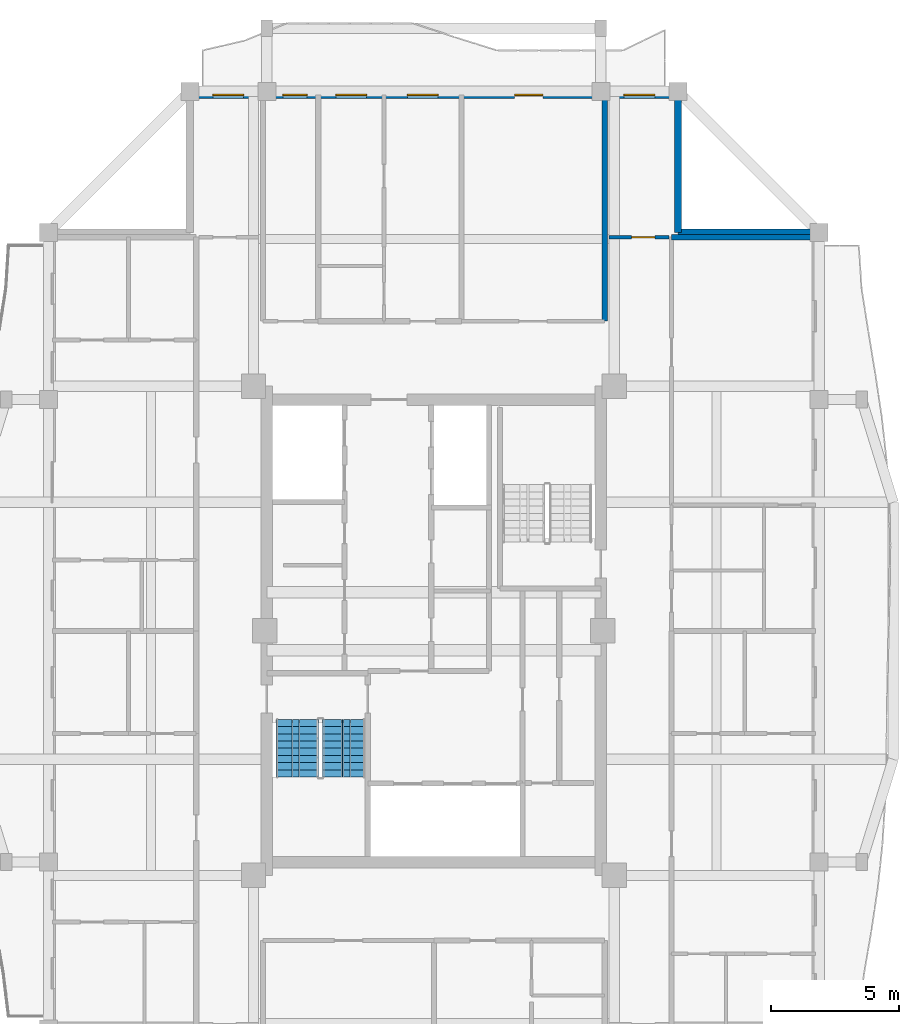
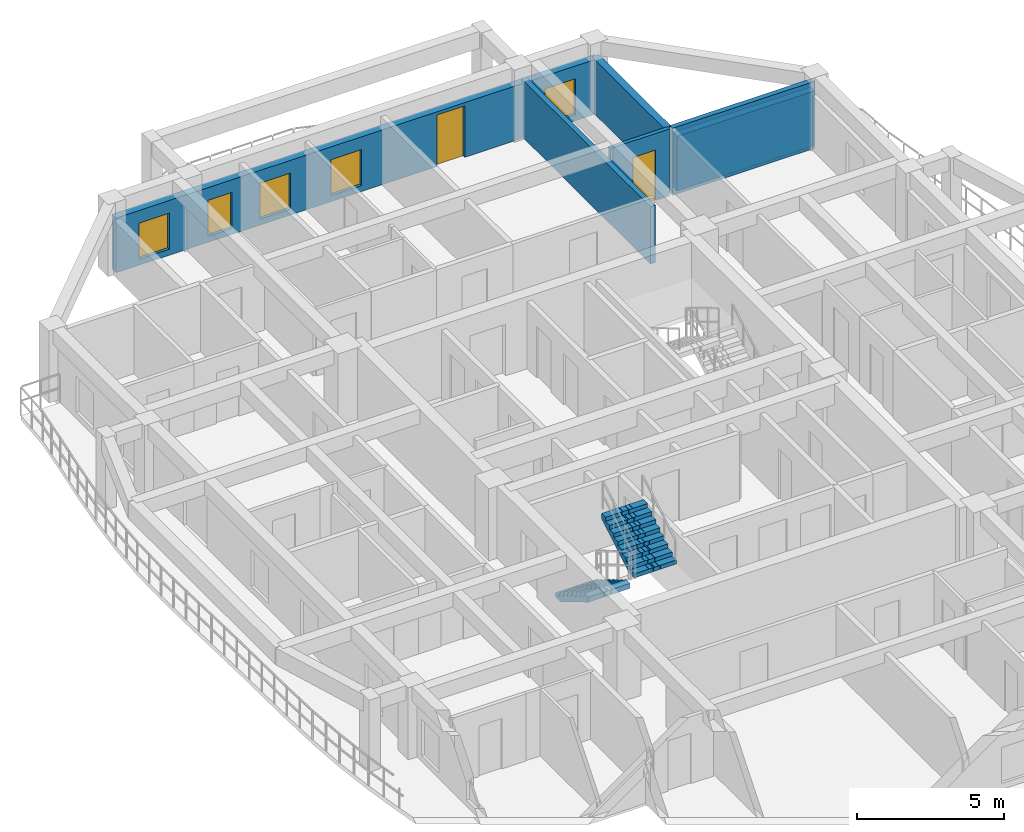
# One storey, part 6 of 12: 6 walls, 5 windows, 2 doors, 2 stair flights, 7 openings, 1 element without a shape of its own.
"""IFC4 building model written with IfcOpenShell, lengths in metres."""

from ifc_helpers import new_model, si_unit, direction, frame, frame_2d, origin, place, context, subcontext, project, spatial, polyline, rectangle, outline, extrude, source, transform, mapped, material, layer, layer_set, type_object, element, fill, aggregate, save


model = new_model("IFC4")

# Units and contexts
model_context = context("Model", 3, precision=1e-05, world=origin(), true_north=direction((0.0, 1.0)))
body_context = subcontext(model_context, "Body", "Model", "MODEL_VIEW")
ifc_project = project(units=[si_unit("LENGTHUNIT", "METRE"), si_unit("AREAUNIT", "SQUARE_METRE"), si_unit("VOLUMEUNIT", "CUBIC_METRE"), si_unit("PLANEANGLEUNIT", "RADIAN"), si_unit("MASSUNIT", "GRAM", prefix="KILO")], contexts=[model_context])

# Site, building, storey
site_placement = place(None, origin())
site = spatial("IfcSite", under=ifc_project, at=site_placement, CompositionType="ELEMENT")
building_placement = place(site_placement, origin())
building = spatial("IfcBuilding", under=site, at=building_placement, Name="Saelheon Loggia Tower", CompositionType="ELEMENT")
storey_placement = place(building_placement, frame((0.0, 0.0, 243.0)))
storey = spatial("IfcBuildingStorey", under=building, at=storey_placement, Name="L75", CompositionType="ELEMENT", Elevation=243.0)

# Wall, openings, windows, door
ifc_material_1 = material(Name="Architectural Precast Concrete C40/50", Category="concrete")
ifc_layer_1 = layer(ifc_material_1, 0.280029296875)
ifc_layer_set_1 = layer_set([ifc_layer_1], Name="Architectural Precast Concrete C40/50")
wall_type_1 = type_object("IfcWallType", Name="Wall_Ext_Loggia_280", PredefinedType="SOLIDWALL", material=ifc_layer_set_1)
wall_1_placement = place(storey_placement, frame((28.5, 47.860107421875, 0.0), z_axis=(0.0, 0.0, 1.0), x_axis=(1.0, 0.0, 0.0)))
wall_1 = element("IfcWall", 1, at=wall_1_placement, inside=storey, type_object=wall_type_1, Name="L75 North Loggia Inner Wall", PredefinedType="SOLIDWALL", context=body_context, shape_type="SweptSolid", body=[
    extrude(rectangle(XDim=19.0, YDim=0.280029296875, at=frame_2d((9.5, 0.0))), origin(), (0.0, 0.0, 1.0), 2.280029296875),
])
opening_1_placement = place(wall_1_placement, frame((0.89990234375, 0.0, 0.25)))
opening_1 = element("IfcOpeningElement", 2, at=opening_1_placement, cuts=wall_1, Name="Opening WN-03", PredefinedType="OPENING", context=body_context, shape_type="SweptSolid", body=[
    extrude(rectangle(XDim=1.199951171875, YDim=1.5, at=frame_2d((0.60009765625, 0.75))), frame((0.0, 0.152099609375, 0.0), z_axis=(0.0, -1.0, 0.0), x_axis=(1.0, 0.0, 0.0)), (0.0, 0.0, 1.0), 0.303955078125),
])
opening_2_placement = place(wall_1_placement, frame((3.6201171875, 0.0, 0.25)))
opening_2 = element("IfcOpeningElement", 3, at=opening_2_placement, cuts=wall_1, Name="Opening WN-04", PredefinedType="OPENING", context=body_context, shape_type="SweptSolid", body=[
    extrude(rectangle(XDim=0.949951171875, YDim=1.5, at=frame_2d((0.47509765625, 0.75))), frame((0.0, 0.152099609375, 0.0), z_axis=(0.0, -1.0, 0.0), x_axis=(1.0, 0.0, 0.0)), (0.0, 0.0, 1.0), 0.303955078125),
])
opening_3_placement = place(wall_1_placement, frame((5.682373046875, 0.0, 0.25)))
opening_3 = element("IfcOpeningElement", 4, at=opening_3_placement, cuts=wall_1, Name="Opening WN-03", PredefinedType="OPENING", context=body_context, shape_type="SweptSolid", body=[
    extrude(rectangle(XDim=1.199951171875, YDim=1.5, at=frame_2d((0.60009765625, 0.75))), frame((0.0, 0.152099609375, 0.0), z_axis=(0.0, -1.0, 0.0), x_axis=(1.0, 0.0, 0.0)), (0.0, 0.0, 1.0), 0.303955078125),
])
opening_4_placement = place(wall_1_placement, frame((8.4697265625, 0.0, 0.25)))
opening_4 = element("IfcOpeningElement", 5, at=opening_4_placement, cuts=wall_1, Name="Opening WN-03", PredefinedType="OPENING", context=body_context, shape_type="SweptSolid", body=[
    extrude(rectangle(XDim=1.199951171875, YDim=1.5, at=frame_2d((0.60009765625, 0.75))), frame((0.0, 0.152099609375, 0.0), z_axis=(0.0, -1.0, 0.0), x_axis=(1.0, 0.0, 0.0)), (0.0, 0.0, 1.0), 0.303955078125),
])
opening_5_placement = place(wall_1_placement, frame((12.642578125, 0.0, 0.0)))
opening_5 = element("IfcOpeningElement", 6, at=opening_5_placement, cuts=wall_1, Name="Opening TD1", PredefinedType="OPENING", context=body_context, shape_type="SweptSolid", body=[
    extrude(rectangle(XDim=1.10009765625, YDim=2.14990234375, at=frame_2d((0.550048828125, 1.074951171875))), frame((0.0, 0.152099609375, 0.0), z_axis=(0.0, -1.0, 0.0), x_axis=(1.0, 0.0, 0.0)), (0.0, 0.0, 1.0), 0.303955078125),
])
opening_6_placement = place(wall_1_placement, frame((16.89990234375, 0.0, 0.25)))
opening_6 = element("IfcOpeningElement", 7, at=opening_6_placement, cuts=wall_1, Name="Opening WN-03", PredefinedType="OPENING", context=body_context, shape_type="SweptSolid", body=[
    extrude(rectangle(XDim=1.199951171875, YDim=1.5, at=frame_2d((0.60009765625, 0.75))), frame((0.0, 0.152099609375, 0.0), z_axis=(0.0, -1.0, 0.0), x_axis=(1.0, 0.0, 0.0)), (0.0, 0.0, 1.0), 0.303955078125),
])
ifc_material_2 = material(Name="Thermal-Break Aluminium and Triple Low-E Glass", Category="aluminium")
window_type_1 = type_object("IfcWindowType", Name="Win_Bedroom_1200x1500", PartitioningType="SINGLE_PANEL", PredefinedType="WINDOW", material=ifc_material_2)
shared_shape_1 = source(origin(), body_context, "Body", "SweptSolid", [
    extrude(rectangle(XDim=1.199951171875, YDim=1.5, at=frame_2d((0.60009765625, 0.75))), frame((0.0, 0.030029296875, 0.0), z_axis=(0.0, -1.0, 0.0), x_axis=(1.0, 0.0, 0.0)), (0.0, 0.0, 1.0), 0.06005859375),
])
window_1_placement = place(opening_1_placement, origin())
window_1 = element("IfcWindow", 8, at=window_1_placement, inside=storey, type_object=window_type_1, Name="L75 N Dwelling Window 1", OverallHeight=1.5, OverallWidth=1.199951171875, PartitioningType="SINGLE_PANEL", PredefinedType="WINDOW", context=body_context, shape_type="MappedRepresentation", body=[
    mapped(shared_shape_1, transform((0.0, 0.0, 0.0), scale=1.0)),
])
fill(opening_1, window_1)
window_2_placement = place(opening_3_placement, origin())
window_2 = element("IfcWindow", 9, at=window_2_placement, inside=storey, type_object=window_type_1, Name="L75 N Dwelling Window 3", OverallHeight=1.5, OverallWidth=1.199951171875, PartitioningType="SINGLE_PANEL", PredefinedType="WINDOW", context=body_context, shape_type="MappedRepresentation", body=[
    mapped(shared_shape_1, transform((0.0, 0.0, 0.0), scale=1.0)),
])
fill(opening_3, window_2)
window_3_placement = place(opening_4_placement, origin())
window_3 = element("IfcWindow", 10, at=window_3_placement, inside=storey, type_object=window_type_1, Name="L75 N Dwelling Window 4", OverallHeight=1.5, OverallWidth=1.199951171875, PartitioningType="SINGLE_PANEL", PredefinedType="WINDOW", context=body_context, shape_type="MappedRepresentation", body=[
    mapped(shared_shape_1, transform((0.0, 0.0, 0.0), scale=1.0)),
])
fill(opening_4, window_3)
window_4_placement = place(opening_6_placement, origin())
window_4 = element("IfcWindow", 11, at=window_4_placement, inside=storey, type_object=window_type_1, Name="L75 N Dwelling Window 6", OverallHeight=1.5, OverallWidth=1.199951171875, PartitioningType="SINGLE_PANEL", PredefinedType="WINDOW", context=body_context, shape_type="MappedRepresentation", body=[
    mapped(shared_shape_1, transform((0.0, 0.0, 0.0), scale=1.0)),
])
fill(opening_6, window_4)
ifc_material_3 = material(Name="Thermal-Break Aluminium Glazed Door", Category="aluminium")
door_type_1 = type_object("IfcDoorType", Name="Door_Terrace_TD1", OperationType="NOTDEFINED", PredefinedType="DOOR", material=ifc_material_3)
shared_shape_2 = source(origin(), body_context, "Body", "SweptSolid", [
    extrude(rectangle(XDim=1.10009765625, YDim=2.14990234375, at=frame_2d((0.550048828125, 1.074951171875))), frame((0.0, 0.02490234375, 0.0), z_axis=(0.0, -1.0, 0.0), x_axis=(1.0, 0.0, 0.0)), (0.0, 0.0, 1.0), 0.050048828125),
])
door_1_placement = place(opening_5_placement, origin())
door_1 = element("IfcDoor", 12, at=door_1_placement, inside=storey, type_object=door_type_1, Name="L75 N Loggia Access Door", OperationType="SINGLE_SWING_LEFT", OverallHeight=2.14990234375, OverallWidth=1.10009765625, PredefinedType="DOOR", context=body_context, shape_type="MappedRepresentation", body=[
    mapped(shared_shape_2, transform((0.0, 0.0, 0.0), scale=1.0)),
])
fill(opening_5, door_1)
window_type_2 = type_object("IfcWindowType", Name="Win_Narrow_950x1500", PartitioningType="SINGLE_PANEL", PredefinedType="WINDOW", material=ifc_material_2)
shared_shape_3 = source(origin(), body_context, "Body", "SweptSolid", [
    extrude(rectangle(XDim=0.949951171875, YDim=1.5, at=frame_2d((0.47509765625, 0.75))), frame((0.0, 0.030029296875, 0.0), z_axis=(0.0, -1.0, 0.0), x_axis=(1.0, 0.0, 0.0)), (0.0, 0.0, 1.0), 0.06005859375),
])
window_5_placement = place(opening_2_placement, origin())
window_5 = element("IfcWindow", 13, at=window_5_placement, inside=storey, type_object=window_type_2, Name="L75 N Dwelling Window 2", OverallHeight=1.5, OverallWidth=0.949951171875, PartitioningType="SINGLE_PANEL", PredefinedType="WINDOW", context=body_context, shape_type="MappedRepresentation", body=[
    mapped(shared_shape_3, transform((0.0, 0.0, 0.0), scale=1.0)),
])
fill(opening_2, window_5)

# Walls
for number, where, z_axis, x_axis, name in (
    (14, (47.5, 42.5, 0.0), (0.0, 0.0, 1.0), (0.0, 1.0, 0.0), "L75 Corner Notch Precast Wall NE1"),
    (15, (47.5, 42.5, 0.0), (0.0, 0.0, 1.0), (1.0, 0.0, 0.0), "L75 Corner Notch Precast Wall NE2"),
):
    element("IfcWall", number, at=place(storey_placement, frame(where, z_axis=z_axis, x_axis=x_axis)), inside=storey, type_object=wall_type_1, Name=name, PredefinedType="SOLIDWALL", context=body_context, shape_type="SweptSolid", body=[
        extrude(rectangle(XDim=5.419921875, YDim=0.280029296875, at=frame_2d((2.7099609375, 0.0))), origin(), (0.0, 0.0, 1.0), 2.280029296875),
    ])

# Wall, opening, door
ifc_material_4 = material(Name="Lightweight Autoclaved Aerated Concrete Block and Acoustic Gypsum", Category="concrete")
ifc_layer_2 = layer(ifc_material_4, 0.14990234375)
ifc_layer_set_2 = layer_set([ifc_layer_2], Name="Lightweight Autoclaved Aerated Concrete Block and Acoustic Gypsum")
wall_type_2 = type_object("IfcWallType", Name="Wall_Part_150", PredefinedType="PARTITIONING", material=ifc_layer_set_2)
wall_2_placement = place(storey_placement, frame((44.820068359375, 42.320068359375, 0.0), z_axis=(0.0, 0.0, 1.0), x_axis=(1.0, 0.0, 0.0)))
wall_2 = element("IfcWall", 16, at=wall_2_placement, inside=storey, type_object=wall_type_2, Name="PW-L75-CNE-H", PredefinedType="PARTITIONING", context=body_context, shape_type="SweptSolid", body=[
    extrude(rectangle(XDim=2.329833984375, YDim=0.14990234375, at=frame_2d((1.1650390625, 0.0))), origin(), (0.0, 0.0, 1.0), 2.7900390625),
])
opening_7_placement = place(wall_2_placement, frame((0.8798828125, 0.0, 0.0)))
opening_7 = element("IfcOpeningElement", 17, at=opening_7_placement, cuts=wall_2, Name="Opening D-IN2", PredefinedType="OPENING", context=body_context, shape_type="SweptSolid", body=[
    extrude(rectangle(XDim=0.89990234375, YDim=2.10009765625, at=frame_2d((0.449951171875, 1.050048828125))), frame((0.0, 0.0869140625, 0.0), z_axis=(0.0, -1.0, 0.0), x_axis=(1.0, 0.0, 0.0)), (0.0, 0.0, 1.0), 0.173828125),
])
ifc_material_5 = material(Name="Engineered Oak Flush Door", Category="timber")
door_type_2 = type_object("IfcDoorType", Name="Door_Int_900", OperationType="NOTDEFINED", PredefinedType="DOOR", material=ifc_material_5)
shared_shape_4 = source(origin(), body_context, "Body", "SweptSolid", [
    extrude(rectangle(XDim=0.89990234375, YDim=2.10009765625, at=frame_2d((0.449951171875, 1.050048828125))), frame((0.0, 0.02490234375, 0.0), z_axis=(0.0, -1.0, 0.0), x_axis=(1.0, 0.0, 0.0)), (0.0, 0.0, 1.0), 0.050048828125),
])
door_2_placement = place(opening_7_placement, origin())
door_2 = element("IfcDoor", 18, at=door_2_placement, inside=storey, type_object=door_type_2, Name="L75 Corner Reading Room NE Door", OperationType="SINGLE_SWING_RIGHT", OverallHeight=2.10009765625, OverallWidth=0.89990234375, PredefinedType="DOOR", context=body_context, shape_type="MappedRepresentation", body=[
    mapped(shared_shape_4, transform((0.0, 0.0, 0.0), scale=1.0)),
])
fill(opening_7, door_2)

# Walls
ifc_material_6 = material(Name="Double Acoustic Stud and Fireboard Partition", Category="gypsum")
ifc_layer_3 = layer(ifc_material_6, 0.199951171875)
ifc_layer_set_3 = layer_set([ifc_layer_3], Name="Double Acoustic Stud and Fireboard Partition")
wall_type_3 = type_object("IfcWallType", Name="Wall_Party_200", PredefinedType="PARTITIONING", material=ifc_layer_set_3)
wall_3_placement = place(storey_placement, frame((44.64990234375, 39.050048828125, 0.0), z_axis=(0.0, 0.0, 1.0), x_axis=(0.0, 1.0, 0.0)))
element("IfcWall", 19, at=wall_3_placement, inside=storey, type_object=wall_type_3, Name="L75 N Partition U02", PredefinedType="PARTITIONING", context=body_context, shape_type="SweptSolid", body=[
    extrude(rectangle(XDim=8.800048828125, YDim=0.199951171875, at=frame_2d((4.39990234375, 0.0))), origin(), (0.0, 0.0, 1.0), 2.389892578125),
])
wall_4_placement = place(storey_placement, frame((47.25, 42.320068359375, 0.0), z_axis=(0.0, 0.0, 1.0), x_axis=(1.0, 0.0, 0.0)))
element("IfcWall", 20, at=wall_4_placement, inside=storey, type_object=wall_type_3, Name="L75 E Partition U02", PredefinedType="PARTITIONING", context=body_context, shape_type="SweptSolid", body=[
    extrude(rectangle(XDim=5.60009765625, YDim=0.199951171875, at=frame_2d((2.800048828125, 0.0))), origin(), (0.0, 0.0, 1.0), 2.7900390625),
])

# Stair, stair flights
ifc_material_7 = material(Name="Concrete C40/50", Category="concrete")
stair_type = type_object("IfcStairType", Name="Stair_Escape_Core", PredefinedType="HALF_TURN_STAIR", material=ifc_material_7)
stair_placement = place(storey_placement, origin())
stair = element("IfcStair", 21, at=stair_placement, inside=storey, type_object=stair_type, Name="L75 Special Escape Stair ST1", PredefinedType="HALF_TURN_STAIR")
stair_flight_type = type_object("IfcStairFlightType", Name="StairFlight_Tower_1660", PredefinedType="STRAIGHT", material=ifc_material_7)
stair_flight_1_placement = place(storey_placement, frame((32.679931640625, 23.550048828125, 0.0), z_axis=(0.0, 0.0, 1.0), x_axis=(0.0, -1.0, 0.0)))
stair_flight_1 = element("IfcStairFlight", 22, at=stair_flight_1_placement, type_object=stair_flight_type, Name="ST1 flight 1", NumberOfRisers=9, NumberOfTreads=8, PredefinedType="STRAIGHT", RiserHeight=0.166666667, TreadLength=0.28, context=body_context, shape_type="SweptSolid", body=[
    extrude(outline(polyline([(0.0, 0.0), (0.0, 0.166748046875), (0.280029296875, 0.166748046875), (0.280029296875, 0.333251953125), (0.56005859375, 0.333251953125), (0.56005859375, 0.5), (0.840087890625, 0.5), (0.840087890625, 0.666748046875), (1.1201171875, 0.666748046875), (1.1201171875, 0.833251953125), (1.39990234375, 0.833251953125), (1.39990234375, 1.0), (1.679931640625, 1.0), (1.679931640625, 1.166748046875), (1.9599609375, 1.166748046875), (1.9599609375, 1.333251953125), (2.239990234375, 1.333251953125), (2.239990234375, 1.5), (2.239990234375, 1.1240234375), (0.351806640625, 0.0), (0.0, 0.0)])), frame((0.0, -0.2490234375, 0.0), z_axis=(0.0, -1.0, 0.0), x_axis=(1.0, 0.0, 0.0)), (0.0, 0.0, 1.0), 0.5810546875),
    extrude(outline(polyline([(0.0, 0.0), (0.0, 0.166748046875), (0.280029296875, 0.166748046875), (0.280029296875, 0.333251953125), (0.56005859375, 0.333251953125), (0.56005859375, 0.5), (0.840087890625, 0.5), (0.840087890625, 0.666748046875), (1.1201171875, 0.666748046875), (1.1201171875, 0.833251953125), (1.39990234375, 0.833251953125), (1.39990234375, 1.0), (1.679931640625, 1.0), (1.679931640625, 1.166748046875), (1.9599609375, 1.166748046875), (1.9599609375, 1.333251953125), (2.239990234375, 1.333251953125), (2.239990234375, 1.5), (2.239990234375, 1.1240234375), (0.351806640625, 0.0), (0.0, 0.0)])), frame((0.0, -0.194091796875, 0.0), z_axis=(0.0, -1.0, 0.0), x_axis=(1.0, 0.0, 0.0)), (0.0, 0.0, 1.0), 0.0498046875),
    extrude(outline(polyline([(0.0, 0.0), (0.0, 0.166748046875), (0.280029296875, 0.166748046875), (0.280029296875, 0.333251953125), (0.56005859375, 0.333251953125), (0.56005859375, 0.5), (0.840087890625, 0.5), (0.840087890625, 0.666748046875), (1.1201171875, 0.666748046875), (1.1201171875, 0.833251953125), (1.39990234375, 0.833251953125), (1.39990234375, 1.0), (1.679931640625, 1.0), (1.679931640625, 1.166748046875), (1.9599609375, 1.166748046875), (1.9599609375, 1.333251953125), (2.239990234375, 1.333251953125), (2.239990234375, 1.5), (2.239990234375, 1.1240234375), (0.351806640625, 0.0), (0.0, 0.0)])), frame((0.0, -0.139404296875, 0.0), z_axis=(0.0, -1.0, 0.0), x_axis=(1.0, 0.0, 0.0)), (0.0, 0.0, 1.0), 0.0498046875),
    extrude(outline(polyline([(0.0, 0.0), (0.0, 0.166748046875), (0.280029296875, 0.166748046875), (0.280029296875, 0.333251953125), (0.56005859375, 0.333251953125), (0.56005859375, 0.5), (0.840087890625, 0.5), (0.840087890625, 0.666748046875), (1.1201171875, 0.666748046875), (1.1201171875, 0.833251953125), (1.39990234375, 0.833251953125), (1.39990234375, 1.0), (1.679931640625, 1.0), (1.679931640625, 1.166748046875), (1.9599609375, 1.166748046875), (1.9599609375, 1.333251953125), (2.239990234375, 1.333251953125), (2.239990234375, 1.5), (2.239990234375, 1.1240234375), (0.351806640625, 0.0), (0.0, 0.0)])), frame((0.0, -0.084716796875, 0.0), z_axis=(0.0, -1.0, 0.0), x_axis=(1.0, 0.0, 0.0)), (0.0, 0.0, 1.0), 0.0498046875),
    extrude(outline(polyline([(0.0, 0.0), (0.0, 0.166748046875), (0.280029296875, 0.166748046875), (0.280029296875, 0.333251953125), (0.56005859375, 0.333251953125), (0.56005859375, 0.5), (0.840087890625, 0.5), (0.840087890625, 0.666748046875), (1.1201171875, 0.666748046875), (1.1201171875, 0.833251953125), (1.39990234375, 0.833251953125), (1.39990234375, 1.0), (1.679931640625, 1.0), (1.679931640625, 1.166748046875), (1.9599609375, 1.166748046875), (1.9599609375, 1.333251953125), (2.239990234375, 1.333251953125), (2.239990234375, 1.5), (2.239990234375, 1.1240234375), (0.351806640625, 0.0), (0.0, 0.0)])), frame((0.0, -0.02978515625, 0.0), z_axis=(0.0, -1.0, 0.0), x_axis=(1.0, 0.0, 0.0)), (0.0, 0.0, 1.0), 0.0498046875),
    extrude(outline(polyline([(0.0, 0.0), (0.0, 0.166748046875), (0.280029296875, 0.166748046875), (0.280029296875, 0.333251953125), (0.56005859375, 0.333251953125), (0.56005859375, 0.5), (0.840087890625, 0.5), (0.840087890625, 0.666748046875), (1.1201171875, 0.666748046875), (1.1201171875, 0.833251953125), (1.39990234375, 0.833251953125), (1.39990234375, 1.0), (1.679931640625, 1.0), (1.679931640625, 1.166748046875), (1.9599609375, 1.166748046875), (1.9599609375, 1.333251953125), (2.239990234375, 1.333251953125), (2.239990234375, 1.5), (2.239990234375, 1.1240234375), (0.351806640625, 0.0), (0.0, 0.0)])), frame((0.0, 0.02490234375, 0.0), z_axis=(0.0, -1.0, 0.0), x_axis=(1.0, 0.0, 0.0)), (0.0, 0.0, 1.0), 0.0498046875),
    extrude(outline(polyline([(0.0, 0.0), (0.0, 0.166748046875), (0.280029296875, 0.166748046875), (0.280029296875, 0.333251953125), (0.56005859375, 0.333251953125), (0.56005859375, 0.5), (0.840087890625, 0.5), (0.840087890625, 0.666748046875), (1.1201171875, 0.666748046875), (1.1201171875, 0.833251953125), (1.39990234375, 0.833251953125), (1.39990234375, 1.0), (1.679931640625, 1.0), (1.679931640625, 1.166748046875), (1.9599609375, 1.166748046875), (1.9599609375, 1.333251953125), (2.239990234375, 1.333251953125), (2.239990234375, 1.5), (2.239990234375, 1.1240234375), (0.351806640625, 0.0), (0.0, 0.0)])), frame((0.0, 0.07958984375, 0.0), z_axis=(0.0, -1.0, 0.0), x_axis=(1.0, 0.0, 0.0)), (0.0, 0.0, 1.0), 0.0498046875),
    extrude(outline(polyline([(0.0, 0.0), (0.0, 0.166748046875), (0.280029296875, 0.166748046875), (0.280029296875, 0.333251953125), (0.56005859375, 0.333251953125), (0.56005859375, 0.5), (0.840087890625, 0.5), (0.840087890625, 0.666748046875), (1.1201171875, 0.666748046875), (1.1201171875, 0.833251953125), (1.39990234375, 0.833251953125), (1.39990234375, 1.0), (1.679931640625, 1.0), (1.679931640625, 1.166748046875), (1.9599609375, 1.166748046875), (1.9599609375, 1.333251953125), (2.239990234375, 1.333251953125), (2.239990234375, 1.5), (2.239990234375, 1.1240234375), (0.351806640625, 0.0), (0.0, 0.0)])), frame((0.0, 0.134521484375, 0.0), z_axis=(0.0, -1.0, 0.0), x_axis=(1.0, 0.0, 0.0)), (0.0, 0.0, 1.0), 0.0498046875),
    extrude(outline(polyline([(0.0, 0.0), (0.0, 0.166748046875), (0.280029296875, 0.166748046875), (0.280029296875, 0.333251953125), (0.56005859375, 0.333251953125), (0.56005859375, 0.5), (0.840087890625, 0.5), (0.840087890625, 0.666748046875), (1.1201171875, 0.666748046875), (1.1201171875, 0.833251953125), (1.39990234375, 0.833251953125), (1.39990234375, 1.0), (1.679931640625, 1.0), (1.679931640625, 1.166748046875), (1.9599609375, 1.166748046875), (1.9599609375, 1.333251953125), (2.239990234375, 1.333251953125), (2.239990234375, 1.5), (2.239990234375, 1.1240234375), (0.351806640625, 0.0), (0.0, 0.0)])), frame((0.0, 0.189208984375, 0.0), z_axis=(0.0, -1.0, 0.0), x_axis=(1.0, 0.0, 0.0)), (0.0, 0.0, 1.0), 0.0498046875),
    extrude(outline(polyline([(0.0, 0.0), (0.0, 0.166748046875), (0.280029296875, 0.166748046875), (0.280029296875, 0.333251953125), (0.56005859375, 0.333251953125), (0.56005859375, 0.5), (0.840087890625, 0.5), (0.840087890625, 0.666748046875), (1.1201171875, 0.666748046875), (1.1201171875, 0.833251953125), (1.39990234375, 0.833251953125), (1.39990234375, 1.0), (1.679931640625, 1.0), (1.679931640625, 1.166748046875), (1.9599609375, 1.166748046875), (1.9599609375, 1.333251953125), (2.239990234375, 1.333251953125), (2.239990234375, 1.5), (2.239990234375, 1.1240234375), (0.351806640625, 0.0), (0.0, 0.0)])), frame((0.0, 0.243896484375, 0.0), z_axis=(0.0, -1.0, 0.0), x_axis=(1.0, 0.0, 0.0)), (0.0, 0.0, 1.0), 0.0498046875),
    extrude(outline(polyline([(0.0, 0.0), (0.0, 0.166748046875), (0.280029296875, 0.166748046875), (0.280029296875, 0.333251953125), (0.56005859375, 0.333251953125), (0.56005859375, 0.5), (0.840087890625, 0.5), (0.840087890625, 0.666748046875), (1.1201171875, 0.666748046875), (1.1201171875, 0.833251953125), (1.39990234375, 0.833251953125), (1.39990234375, 1.0), (1.679931640625, 1.0), (1.679931640625, 1.166748046875), (1.9599609375, 1.166748046875), (1.9599609375, 1.333251953125), (2.239990234375, 1.333251953125), (2.239990234375, 1.5), (2.239990234375, 1.1240234375), (0.351806640625, 0.0), (0.0, 0.0)])), frame((0.0, 0.830078125, 0.0), z_axis=(0.0, -1.0, 0.0), x_axis=(1.0, 0.0, 0.0)), (0.0, 0.0, 1.0), 0.5810546875),
])
stair_flight_2_placement = place(storey_placement, frame((34.5, 21.31005859375, 1.5), z_axis=(0.0, 0.0, 1.0), x_axis=(0.0, 1.0, 0.0)))
stair_flight_2 = element("IfcStairFlight", 23, at=stair_flight_2_placement, type_object=stair_flight_type, Name="ST1 flight 2", NumberOfRisers=9, NumberOfTreads=8, PredefinedType="STRAIGHT", RiserHeight=0.166666667, TreadLength=0.28, context=body_context, shape_type="SweptSolid", body=[
    extrude(outline(polyline([(0.0, 0.0), (0.0, 0.166748046875), (0.280029296875, 0.166748046875), (0.280029296875, 0.333251953125), (0.56005859375, 0.333251953125), (0.56005859375, 0.5), (0.840087890625, 0.5), (0.840087890625, 0.666748046875), (1.1201171875, 0.666748046875), (1.1201171875, 0.833251953125), (1.39990234375, 0.833251953125), (1.39990234375, 1.0), (1.679931640625, 1.0), (1.679931640625, 1.166748046875), (1.9599609375, 1.166748046875), (1.9599609375, 1.333251953125), (2.239990234375, 1.333251953125), (2.239990234375, 1.5), (2.239990234375, 1.1240234375), (0.351806640625, 0.0), (0.0, 0.0)])), frame((0.0, -0.2490234375, 0.0), z_axis=(0.0, -1.0, 0.0), x_axis=(1.0, 0.0, 0.0)), (0.0, 0.0, 1.0), 0.5810546875),
    extrude(outline(polyline([(0.0, 0.0), (0.0, 0.166748046875), (0.280029296875, 0.166748046875), (0.280029296875, 0.333251953125), (0.56005859375, 0.333251953125), (0.56005859375, 0.5), (0.840087890625, 0.5), (0.840087890625, 0.666748046875), (1.1201171875, 0.666748046875), (1.1201171875, 0.833251953125), (1.39990234375, 0.833251953125), (1.39990234375, 1.0), (1.679931640625, 1.0), (1.679931640625, 1.166748046875), (1.9599609375, 1.166748046875), (1.9599609375, 1.333251953125), (2.239990234375, 1.333251953125), (2.239990234375, 1.5), (2.239990234375, 1.1240234375), (0.351806640625, 0.0), (0.0, 0.0)])), frame((0.0, -0.194091796875, 0.0), z_axis=(0.0, -1.0, 0.0), x_axis=(1.0, 0.0, 0.0)), (0.0, 0.0, 1.0), 0.0498046875),
    extrude(outline(polyline([(0.0, 0.0), (0.0, 0.166748046875), (0.280029296875, 0.166748046875), (0.280029296875, 0.333251953125), (0.56005859375, 0.333251953125), (0.56005859375, 0.5), (0.840087890625, 0.5), (0.840087890625, 0.666748046875), (1.1201171875, 0.666748046875), (1.1201171875, 0.833251953125), (1.39990234375, 0.833251953125), (1.39990234375, 1.0), (1.679931640625, 1.0), (1.679931640625, 1.166748046875), (1.9599609375, 1.166748046875), (1.9599609375, 1.333251953125), (2.239990234375, 1.333251953125), (2.239990234375, 1.5), (2.239990234375, 1.1240234375), (0.351806640625, 0.0), (0.0, 0.0)])), frame((0.0, -0.139404296875, 0.0), z_axis=(0.0, -1.0, 0.0), x_axis=(1.0, 0.0, 0.0)), (0.0, 0.0, 1.0), 0.0498046875),
    extrude(outline(polyline([(0.0, 0.0), (0.0, 0.166748046875), (0.280029296875, 0.166748046875), (0.280029296875, 0.333251953125), (0.56005859375, 0.333251953125), (0.56005859375, 0.5), (0.840087890625, 0.5), (0.840087890625, 0.666748046875), (1.1201171875, 0.666748046875), (1.1201171875, 0.833251953125), (1.39990234375, 0.833251953125), (1.39990234375, 1.0), (1.679931640625, 1.0), (1.679931640625, 1.166748046875), (1.9599609375, 1.166748046875), (1.9599609375, 1.333251953125), (2.239990234375, 1.333251953125), (2.239990234375, 1.5), (2.239990234375, 1.1240234375), (0.351806640625, 0.0), (0.0, 0.0)])), frame((0.0, -0.084716796875, 0.0), z_axis=(0.0, -1.0, 0.0), x_axis=(1.0, 0.0, 0.0)), (0.0, 0.0, 1.0), 0.0498046875),
    extrude(outline(polyline([(0.0, 0.0), (0.0, 0.166748046875), (0.280029296875, 0.166748046875), (0.280029296875, 0.333251953125), (0.56005859375, 0.333251953125), (0.56005859375, 0.5), (0.840087890625, 0.5), (0.840087890625, 0.666748046875), (1.1201171875, 0.666748046875), (1.1201171875, 0.833251953125), (1.39990234375, 0.833251953125), (1.39990234375, 1.0), (1.679931640625, 1.0), (1.679931640625, 1.166748046875), (1.9599609375, 1.166748046875), (1.9599609375, 1.333251953125), (2.239990234375, 1.333251953125), (2.239990234375, 1.5), (2.239990234375, 1.1240234375), (0.351806640625, 0.0), (0.0, 0.0)])), frame((0.0, -0.02978515625, 0.0), z_axis=(0.0, -1.0, 0.0), x_axis=(1.0, 0.0, 0.0)), (0.0, 0.0, 1.0), 0.0498046875),
    extrude(outline(polyline([(0.0, 0.0), (0.0, 0.166748046875), (0.280029296875, 0.166748046875), (0.280029296875, 0.333251953125), (0.56005859375, 0.333251953125), (0.56005859375, 0.5), (0.840087890625, 0.5), (0.840087890625, 0.666748046875), (1.1201171875, 0.666748046875), (1.1201171875, 0.833251953125), (1.39990234375, 0.833251953125), (1.39990234375, 1.0), (1.679931640625, 1.0), (1.679931640625, 1.166748046875), (1.9599609375, 1.166748046875), (1.9599609375, 1.333251953125), (2.239990234375, 1.333251953125), (2.239990234375, 1.5), (2.239990234375, 1.1240234375), (0.351806640625, 0.0), (0.0, 0.0)])), frame((0.0, 0.02490234375, 0.0), z_axis=(0.0, -1.0, 0.0), x_axis=(1.0, 0.0, 0.0)), (0.0, 0.0, 1.0), 0.0498046875),
    extrude(outline(polyline([(0.0, 0.0), (0.0, 0.166748046875), (0.280029296875, 0.166748046875), (0.280029296875, 0.333251953125), (0.56005859375, 0.333251953125), (0.56005859375, 0.5), (0.840087890625, 0.5), (0.840087890625, 0.666748046875), (1.1201171875, 0.666748046875), (1.1201171875, 0.833251953125), (1.39990234375, 0.833251953125), (1.39990234375, 1.0), (1.679931640625, 1.0), (1.679931640625, 1.166748046875), (1.9599609375, 1.166748046875), (1.9599609375, 1.333251953125), (2.239990234375, 1.333251953125), (2.239990234375, 1.5), (2.239990234375, 1.1240234375), (0.351806640625, 0.0), (0.0, 0.0)])), frame((0.0, 0.07958984375, 0.0), z_axis=(0.0, -1.0, 0.0), x_axis=(1.0, 0.0, 0.0)), (0.0, 0.0, 1.0), 0.0498046875),
    extrude(outline(polyline([(0.0, 0.0), (0.0, 0.166748046875), (0.280029296875, 0.166748046875), (0.280029296875, 0.333251953125), (0.56005859375, 0.333251953125), (0.56005859375, 0.5), (0.840087890625, 0.5), (0.840087890625, 0.666748046875), (1.1201171875, 0.666748046875), (1.1201171875, 0.833251953125), (1.39990234375, 0.833251953125), (1.39990234375, 1.0), (1.679931640625, 1.0), (1.679931640625, 1.166748046875), (1.9599609375, 1.166748046875), (1.9599609375, 1.333251953125), (2.239990234375, 1.333251953125), (2.239990234375, 1.5), (2.239990234375, 1.1240234375), (0.351806640625, 0.0), (0.0, 0.0)])), frame((0.0, 0.134521484375, 0.0), z_axis=(0.0, -1.0, 0.0), x_axis=(1.0, 0.0, 0.0)), (0.0, 0.0, 1.0), 0.0498046875),
    extrude(outline(polyline([(0.0, 0.0), (0.0, 0.166748046875), (0.280029296875, 0.166748046875), (0.280029296875, 0.333251953125), (0.56005859375, 0.333251953125), (0.56005859375, 0.5), (0.840087890625, 0.5), (0.840087890625, 0.666748046875), (1.1201171875, 0.666748046875), (1.1201171875, 0.833251953125), (1.39990234375, 0.833251953125), (1.39990234375, 1.0), (1.679931640625, 1.0), (1.679931640625, 1.166748046875), (1.9599609375, 1.166748046875), (1.9599609375, 1.333251953125), (2.239990234375, 1.333251953125), (2.239990234375, 1.5), (2.239990234375, 1.1240234375), (0.351806640625, 0.0), (0.0, 0.0)])), frame((0.0, 0.189208984375, 0.0), z_axis=(0.0, -1.0, 0.0), x_axis=(1.0, 0.0, 0.0)), (0.0, 0.0, 1.0), 0.0498046875),
    extrude(outline(polyline([(0.0, 0.0), (0.0, 0.166748046875), (0.280029296875, 0.166748046875), (0.280029296875, 0.333251953125), (0.56005859375, 0.333251953125), (0.56005859375, 0.5), (0.840087890625, 0.5), (0.840087890625, 0.666748046875), (1.1201171875, 0.666748046875), (1.1201171875, 0.833251953125), (1.39990234375, 0.833251953125), (1.39990234375, 1.0), (1.679931640625, 1.0), (1.679931640625, 1.166748046875), (1.9599609375, 1.166748046875), (1.9599609375, 1.333251953125), (2.239990234375, 1.333251953125), (2.239990234375, 1.5), (2.239990234375, 1.1240234375), (0.351806640625, 0.0), (0.0, 0.0)])), frame((0.0, 0.243896484375, 0.0), z_axis=(0.0, -1.0, 0.0), x_axis=(1.0, 0.0, 0.0)), (0.0, 0.0, 1.0), 0.0498046875),
    extrude(outline(polyline([(0.0, 0.0), (0.0, 0.166748046875), (0.280029296875, 0.166748046875), (0.280029296875, 0.333251953125), (0.56005859375, 0.333251953125), (0.56005859375, 0.5), (0.840087890625, 0.5), (0.840087890625, 0.666748046875), (1.1201171875, 0.666748046875), (1.1201171875, 0.833251953125), (1.39990234375, 0.833251953125), (1.39990234375, 1.0), (1.679931640625, 1.0), (1.679931640625, 1.166748046875), (1.9599609375, 1.166748046875), (1.9599609375, 1.333251953125), (2.239990234375, 1.333251953125), (2.239990234375, 1.5), (2.239990234375, 1.1240234375), (0.351806640625, 0.0), (0.0, 0.0)])), frame((0.0, 0.830078125, 0.0), z_axis=(0.0, -1.0, 0.0), x_axis=(1.0, 0.0, 0.0)), (0.0, 0.0, 1.0), 0.5810546875),
])
aggregate(stair, [stair_flight_1, stair_flight_2])

save(model, "model.ifc")
